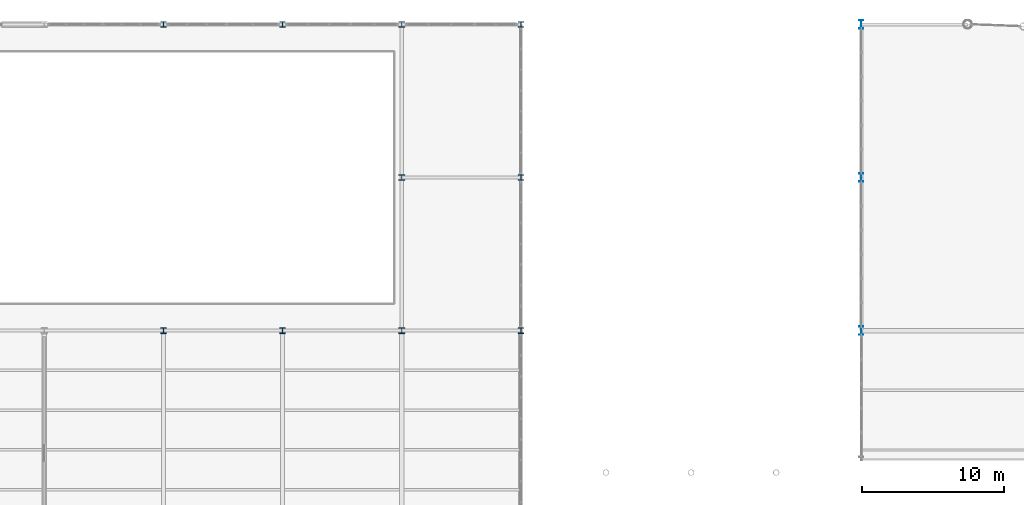
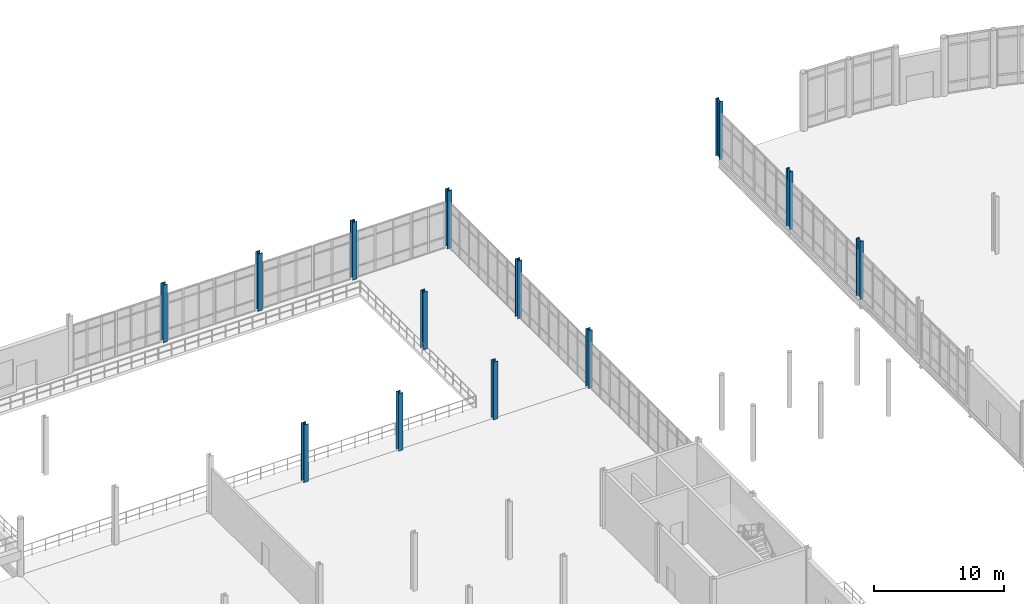
# One storey, part 13 of 111: 13 columns.
"""IFC4 building model written with IfcOpenShell, lengths in metres."""

import ifcopenshell
import ifcopenshell.guid

model = None  # the IFC model being written
_history = None  # IfcOwnerHistory: only IFC2X3 demands one
_inside = {}  # id of a spatial element -> (the spatial element, [elements in it])
_under = {}  # id of a project, library or spatial element -> (it, [spatial elements below it])
_declared = {}  # id of a project -> (the project, [libraries it declares])
_typed = {}  # id of a type object -> (the type object, [elements of that type])
_made_of = {}  # id of a material, layer set ... -> (it, [elements and type objects made of it])


def new_model(schema):
    """Start an empty IFC model of exactly this schema.

    Asked for "IFC4X3", IfcOpenShell would pick the latest addendum, in which some entities
    have other attributes; the version numbers below select the first issue.
    IFC2X3 requires an IfcOwnerHistory on every rooted entity: one is made here for all.
    """
    global model, _history
    if schema == "IFC4X3":
        model = ifcopenshell.file(schema_version=(4, 3, 0, 0))
    else:
        model = ifcopenshell.file(schema=schema)
    _inside.clear()
    _under.clear()
    _declared.clear()
    _typed.clear()
    _made_of.clear()
    _history = None
    if model.schema == "IFC2X3":
        org = make("IfcOrganization", Name="unknown")
        user = make(
            "IfcPersonAndOrganization",
            ThePerson=make("IfcPerson", FamilyName="unknown"),
            TheOrganization=org,
        )
        app = make(
            "IfcApplication",
            ApplicationDeveloper=org,
            Version="unknown",
            ApplicationFullName="unknown",
            ApplicationIdentifier="unknown",
        )
        _history = make(
            "IfcOwnerHistory",
            OwningUser=user,
            OwningApplication=app,
            ChangeAction="ADDED",
            CreationDate=0,
        )
    return model


def make(cls, **values):
    """One entity of the class cls with the attributes given. An attribute that is None is left unset."""
    return model.create_entity(
        cls, **{name: value for name, value in values.items() if value is not None}
    )


def rooted(cls, **values):
    """An entity with a GlobalId (a new one), such as an element, a storey or a relation."""
    return make(cls, GlobalId=ifcopenshell.guid.new(), OwnerHistory=_history, **values)


def si_unit(unit_type, name, prefix=None):
    """IfcSIUnit, for example si_unit("LENGTHUNIT", "METRE", prefix="MILLI")."""
    return make("IfcSIUnit", UnitType=unit_type, Prefix=prefix, Name=name)


def assignment(units):
    """IfcUnitAssignment: the units of a project."""
    return None if units is None else make("IfcUnitAssignment", Units=units)


def point(xyz):
    """IfcCartesianPoint."""
    return None if xyz is None else make("IfcCartesianPoint", Coordinates=xyz)


def direction(xyz):
    """IfcDirection."""
    return None if xyz is None else make("IfcDirection", DirectionRatios=xyz)


def frame(location, z_axis=None, x_axis=None):
    """IfcAxis2Placement3D, a coordinate frame: its origin and axes. An axis left out is left unset."""
    return make(
        "IfcAxis2Placement3D",
        Location=point(location),
        Axis=direction(z_axis),
        RefDirection=direction(x_axis),
    )


def frame_2d(location, x_axis=None):
    """IfcAxis2Placement2D, a coordinate frame in the plane: its origin and x axis."""
    return make(
        "IfcAxis2Placement2D", Location=point(location), RefDirection=direction(x_axis)
    )


def origin():
    """The frame at (0, 0, 0) with its axes left unset."""
    return frame((0.0, 0.0, 0.0))


def origin_2d():
    """The frame at (0, 0) in the plane with its x axis left unset."""
    return frame_2d((0.0, 0.0))


def place(relative_to, where):
    """IfcLocalPlacement: puts the frame where relative to a parent placement (None: the world)."""
    return make(
        "IfcLocalPlacement", PlacementRelTo=relative_to, RelativePlacement=where
    )


def context(
    kind, dimensions, precision=None, world=None, true_north=None, identifier=None
):
    """IfcGeometricRepresentationContext, for example the 3D "Model" context."""
    return make(
        "IfcGeometricRepresentationContext",
        ContextIdentifier=identifier,
        ContextType=kind,
        CoordinateSpaceDimension=dimensions,
        Precision=precision,
        WorldCoordinateSystem=world,
        TrueNorth=true_north,
    )


def subcontext(parent, identifier, kind, view, scale=None):
    """IfcGeometricRepresentationSubContext, for example "Body" below "Model"."""
    return make(
        "IfcGeometricRepresentationSubContext",
        ContextIdentifier=identifier,
        ContextType=kind,
        ParentContext=parent,
        TargetScale=scale,
        TargetView=view,
    )


def project(units=None, contexts=None):
    """IfcProject with its units and contexts."""
    return rooted(
        "IfcProject",
        Name="project",
        RepresentationContexts=contexts,
        UnitsInContext=assignment(units),
    )


def spatial(cls, under=None, at=None, **own):
    """A site, building, storey or space (cls), placed at a placement, below another one or the project."""
    s = rooted(cls, ObjectPlacement=at, **own)
    if under is not None:
        _under.setdefault(under.id(), (under, []))[1].append(s)
    return s


def profile(cls, at=None, kind="AREA", **sizes):
    """A parametric profile (cls). Its sizes go by their IFC names, for example OverallWidth=200.0."""
    return make(cls, ProfileType=kind, Position=at, **sizes)


def i_section(**sizes):
    """IfcIShapeProfileDef."""
    return profile("IfcIShapeProfileDef", **sizes)


def extrude(swept, where, along, depth):
    """IfcExtrudedAreaSolid: the profile swept, set in the frame where, extruded along a direction by depth."""
    return make(
        "IfcExtrudedAreaSolid",
        SweptArea=swept,
        Position=where,
        ExtrudedDirection=direction(along),
        Depth=depth,
    )


def shape(context_of_items, identifier, shape_type, items):
    """IfcShapeRepresentation: the items that make up one representation, for example the "Body"."""
    return make(
        "IfcShapeRepresentation",
        ContextOfItems=context_of_items,
        RepresentationIdentifier=identifier,
        RepresentationType=shape_type,
        Items=items,
    )


def material(Name=None, Category=None):
    """IfcMaterial."""
    return make("IfcMaterial", Name=Name, Category=Category)


def material_profile(
    of_material, cross_section, Name=None, Category=None, Priority=None
):
    """IfcMaterialProfile: a cross section and its material."""
    return make(
        "IfcMaterialProfile",
        Name=Name,
        Material=of_material,
        Profile=cross_section,
        Priority=Priority,
        Category=Category,
    )


def profile_set(profiles, Name=None, composite=None):
    """IfcMaterialProfileSet."""
    return make(
        "IfcMaterialProfileSet",
        Name=Name,
        MaterialProfiles=profiles,
        CompositeProfile=composite,
    )


def made_of(thing, what):
    """Note that an element or type object is made of a material, layer set ...; save() writes the relation."""
    if what is not None:
        _made_of.setdefault(what.id(), (what, []))[1].append(thing)
    return thing


def type_object(cls, material=None, **own):
    """A type object (cls), such as IfcWallType, which elements share."""
    return made_of(rooted(cls, **own), material)


def element(
    cls,
    number,
    at=None,
    inside=None,
    cuts=None,
    type_object=None,
    material=None,
    context=None,
    identifier="Body",
    shape_type=None,
    held_by="IfcProductDefinitionShape",
    body=None,
    shapes=None,
    **own,
):
    """One element of the class cls, such as IfcWall. Its Tag is "e" and its number.

    at: its placement. inside: the storey or other place that contains it. cuts: it is an
    opening in that element (IfcRelVoidsElement). A single representation is given by context,
    identifier, shape_type and body (its items); several are given by shapes. held_by: the class
    of the entity that holds the representations. save() writes the other relations.
    """
    e = rooted(cls, Tag="e%d" % number, ObjectPlacement=at, **own)
    if body is not None:
        shapes = [shape(context, identifier, shape_type, body)]
    if shapes is not None:
        e.Representation = make(held_by, Representations=shapes)
    if inside is not None:
        _inside.setdefault(inside.id(), (inside, []))[1].append(e)
    if cuts is not None:
        rooted(
            "IfcRelVoidsElement", RelatingBuildingElement=cuts, RelatedOpeningElement=e
        )
    if type_object is not None:
        _typed.setdefault(type_object.id(), (type_object, []))[1].append(e)
    return made_of(e, material)


def aggregate(whole, parts):
    """IfcRelAggregates: a whole, such as a stair, and the parts it consists of."""
    return rooted("IfcRelAggregates", RelatingObject=whole, RelatedObjects=parts)


def save(model, path):
    """Write the relations noted so far, then the file.

    IfcRelAggregates (storeys below a building ...), IfcRelContainedInSpatialStructure (elements
    in a storey), IfcRelDefinesByType, IfcRelAssociatesMaterial and IfcRelDeclares: one each for
    every whole, place, type object, material and project.
    """
    for whole, parts in _under.values():
        aggregate(whole, parts)
    for where, things in _inside.values():
        rooted(
            "IfcRelContainedInSpatialStructure",
            RelatedElements=things,
            RelatingStructure=where,
        )
    for kind, things in _typed.values():
        rooted("IfcRelDefinesByType", RelatedObjects=things, RelatingType=kind)
    for what, things in _made_of.values():
        rooted("IfcRelAssociatesMaterial", RelatedObjects=things, RelatingMaterial=what)
    for by, libraries in _declared.values():
        rooted("IfcRelDeclares", RelatingContext=by, RelatedDefinitions=libraries)
    model.write(path)


model = new_model("IFC4")

# Units and contexts
model_context = context("Model", 3, precision=1e-05, world=origin(), true_north=direction((0.0, 1.0)))
body_context = subcontext(model_context, "Body", "Model", "MODEL_VIEW")
ifc_project = project(units=[si_unit("LENGTHUNIT", "METRE"), si_unit("AREAUNIT", "SQUARE_METRE"), si_unit("VOLUMEUNIT", "CUBIC_METRE"), si_unit("PLANEANGLEUNIT", "RADIAN"), si_unit("MASSUNIT", "GRAM", prefix="KILO"), si_unit("THERMODYNAMICTEMPERATUREUNIT", "KELVIN"), si_unit("POWERUNIT", "WATT")], contexts=[model_context])

# Site, building, storey
site_placement = place(None, origin())
site = spatial("IfcSite", under=ifc_project, at=site_placement, CompositionType="ELEMENT")
building_placement = place(site_placement, origin())
building = spatial("IfcBuilding", under=site, at=building_placement, Name="Tembeka Court Mobility Hub", CompositionType="ELEMENT")
storey_placement = place(building_placement, origin())
storey = spatial("IfcBuildingStorey", under=building, at=storey_placement, Name="L00", CompositionType="ELEMENT", Elevation=0.0)

# Columns
ifc_material = material(Name="Steel S355", Category="steel")
ifc_material_profile_1 = material_profile(ifc_material, i_section(OverallWidth=0.39892578125, OverallDepth=0.39404296875, WebThickness=0.022705078125, FlangeThickness=0.03662109375, FilletRadius=0.01513671875, at=origin_2d()), Name="UKC 356x406x287")
ifc_profile_set_1 = profile_set([ifc_material_profile_1], Name="Steel S355")
column_type_1 = type_object("IfcColumnType", Name="COL-C01", PredefinedType="COLUMN", material=ifc_profile_set_1)
for number, where, z_axis, x_axis, name in (
    (1, (67.199951171875, 97.199951171875, 0.0), (0.0, 0.0, 1.0), (1.0, 0.0, 0.0), "Column C01 (L00-101)"),
    (2, (67.199951171875, 118.800048828125, 0.0), (0.0, 0.0, 1.0), (1.0, 0.0, 0.0), "Column C01 (L00-102)"),
    (3, (75.60009765625, 97.199951171875, 0.0), (0.0, 0.0, 1.0), (1.0, 0.0, 0.0), "Column C01 (L00-111)"),
    (4, (75.60009765625, 118.800048828125, 0.0), (0.0, 0.0, 1.0), (1.0, 0.0, 0.0), "Column C01 (L00-112)"),
    (5, (84.0, 97.199951171875, 0.0), (0.0, 0.0, 1.0), (1.0, 0.0, 0.0), "Column C01 (L00-122)"),
    (6, (84.0, 108.0, 0.0), (0.0, 0.0, 1.0), (1.0, 0.0, 0.0), "Column C01 (L00-123)"),
    (7, (84.0, 118.800048828125, 0.0), (0.0, 0.0, 1.0), (1.0, 0.0, 0.0), "Column C01 (L00-124)"),
    (8, (92.39990234375, 97.199951171875, 0.0), (0.0, 0.0, 1.0), (1.0, 0.0, 0.0), "Column C01 (L00-134)"),
    (9, (92.39990234375, 108.0, 0.0), (0.0, 0.0, 1.0), (1.0, 0.0, 0.0), "Column C01 (L00-135)"),
    (10, (92.39990234375, 118.800048828125, 0.0), (0.0, 0.0, 1.0), (1.0, 0.0, 0.0), "Column C01 (L00-136)"),
):
    element("IfcColumn", number, at=place(storey_placement, frame(where, z_axis=z_axis, x_axis=x_axis)), inside=storey, type_object=column_type_1, Name=name, PredefinedType="COLUMN", context=body_context, shape_type="SweptSolid", body=[
        extrude(i_section(OverallWidth=0.39892578125, OverallDepth=0.39404296875, WebThickness=0.022705078125, FlangeThickness=0.03662109375, FilletRadius=0.01513671875, at=origin_2d()), origin(), (0.0, 0.0, 1.0), 5.39990234375),
    ])
ifc_material_profile_2 = material_profile(ifc_material, i_section(OverallWidth=0.300048828125, OverallDepth=0.60009765625, WebThickness=0.015380859375, FlangeThickness=0.030029296875, FilletRadius=0.027099609375, at=origin_2d()), Name="HEB 600")
ifc_profile_set_2 = profile_set([ifc_material_profile_2], Name="Steel S355")
column_type_2 = type_object("IfcColumnType", Name="COL-C06", PredefinedType="COLUMN", material=ifc_profile_set_2)
for number, where, z_axis, x_axis, name in (
    (11, (116.39990234375, 97.199951171875, 0.0), (0.0, 0.0, 1.0), (1.0, 0.0, 0.0), "Column C06 (L00-166)"),
    (12, (116.39990234375, 108.0, 0.0), (0.0, 0.0, 1.0), (1.0, 0.0, 0.0), "Column C06 (L00-167)"),
    (13, (116.39990234375, 118.800048828125, 0.0), (0.0, 0.0, 1.0), (1.0, 0.0, 0.0), "Column C06 (L00-168)"),
):
    element("IfcColumn", number, at=place(storey_placement, frame(where, z_axis=z_axis, x_axis=x_axis)), inside=storey, type_object=column_type_2, Name=name, PredefinedType="COLUMN", context=body_context, shape_type="SweptSolid", body=[
        extrude(i_section(OverallWidth=0.300048828125, OverallDepth=0.60009765625, WebThickness=0.015380859375, FlangeThickness=0.030029296875, FilletRadius=0.027099609375, at=origin_2d()), origin(), (0.0, 0.0, 1.0), 5.39990234375),
    ])

save(model, "model.ifc")
